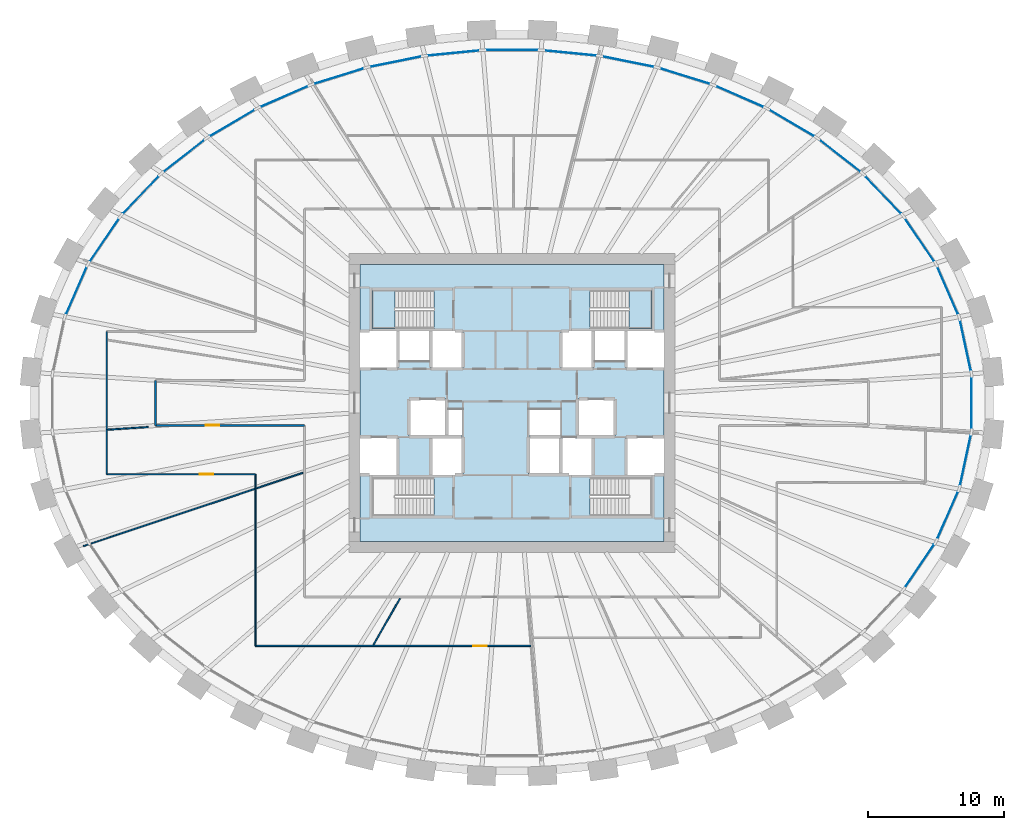
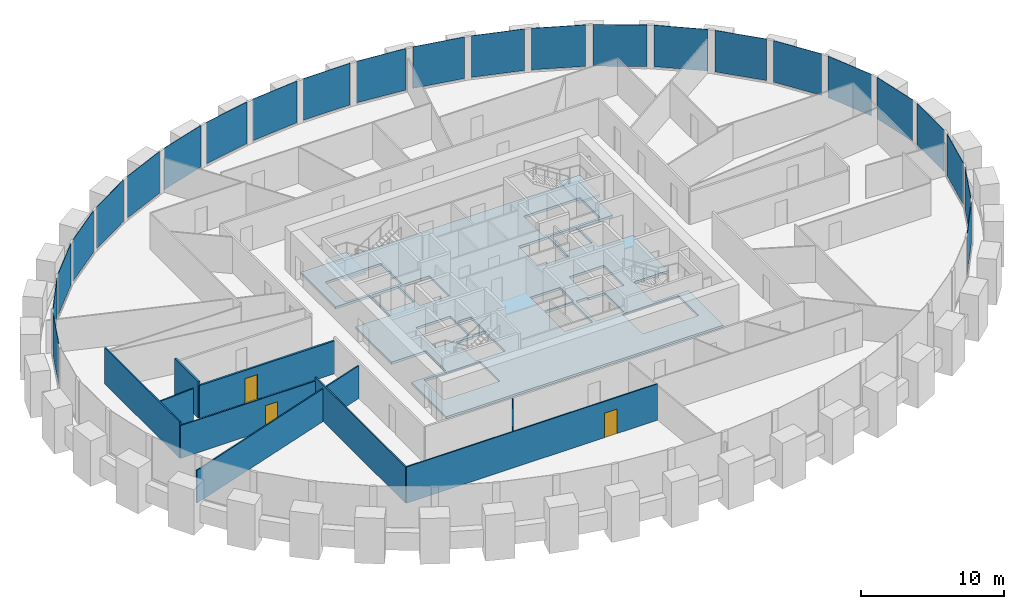
# One storey, part 5 of 11: 24 plates, 9 walls, 3 doors, 3 slabs, 3 openings, 3 elements without a shape of their own.
"""IFC4 building model written with IfcOpenShell, lengths in metres."""

from ifc_helpers import new_model, si_unit, direction, frame, frame_2d, origin, origin_2d, place, context, subcontext, project, spatial, polyline, rectangle, outline, extrude, source, transform, mapped, material, layer, layer_set, type_object, element, fill, aggregate, save


model = new_model("IFC4")

# Units and contexts
model_context = context("Model", 3, precision=1e-05, world=origin(), true_north=direction((0.0, 1.0)))
body_context = subcontext(model_context, "Body", "Model", "MODEL_VIEW")
ifc_project = project(units=[si_unit("LENGTHUNIT", "METRE"), si_unit("AREAUNIT", "SQUARE_METRE"), si_unit("VOLUMEUNIT", "CUBIC_METRE"), si_unit("PLANEANGLEUNIT", "RADIAN"), si_unit("MASSUNIT", "GRAM", prefix="KILO")], contexts=[model_context])

# Site, building, storey
site_placement = place(None, origin())
site = spatial("IfcSite", under=ifc_project, at=site_placement, CompositionType="ELEMENT")
building_placement = place(site_placement, origin())
building = spatial("IfcBuilding", under=site, at=building_placement, Name="Embergate Tower", CompositionType="ELEMENT")
storey_placement = place(building_placement, frame((0.0, 0.0, 219.0)))
storey = spatial("IfcBuildingStorey", under=building, at=storey_placement, Name="L50", CompositionType="ELEMENT", Elevation=219.0)

# Curtain wall, plates
ifc_material_1 = material(Name="Aluminium and glass", Category="aluminium")
curtain_wall_type = type_object("IfcCurtainWallType", Name="Recessed office glazing", PredefinedType="NOTDEFINED", material=ifc_material_1)
curtain_wall_placement = place(storey_placement, origin())
curtain_wall = element("IfcCurtainWall", 1, at=curtain_wall_placement, inside=storey, type_object=curtain_wall_type, Name="Recessed office glazing ring", ObjectType="RECESSED OFFICE GLAZING", PredefinedType="USERDEFINED")
ifc_material_2 = material(Name="Triple glazing, low-emissivity coating", Category="glass")
ifc_layer_1 = layer(ifc_material_2, 0.035888671875)
ifc_layer_set_1 = layer_set([ifc_layer_1], Name="Triple glazing, low-emissivity coating")
plate_type = type_object("IfcPlateType", Name="Office glazing unit", PredefinedType="CURTAIN_PANEL", material=ifc_layer_set_1)
shared_shape_1 = source(origin(), body_context, "Body", "SweptSolid", [
    extrude(rectangle(XDim=3.74951171875, YDim=0.035888671875, at=origin_2d()), origin(), (0.0, 0.0, 1.0), 3.550048828125),
])
plate_1_placement = place(storey_placement, frame((33.402587890625, 4.220458984375, 0.14990234375), z_axis=(0.0, 0.0, 1.0), x_axis=(-0.210396684915, 0.977616097953, 0.0)))
plate_1 = element("IfcPlate", 2, at=plate_1_placement, type_object=plate_type, Name="CW panel 1.1", PredefinedType="CURTAIN_PANEL", context=body_context, shape_type="MappedRepresentation", body=[
    mapped(shared_shape_1, transform((0.0, 0.0, 0.0))),
])
plate_2_placement = place(storey_placement, frame((33.402587890625, -4.220458984375, 0.14990234375), z_axis=(0.0, 0.0, 1.0), x_axis=(0.210396684915, 0.977616097953, 0.0)))
plate_2 = element("IfcPlate", 3, at=plate_2_placement, type_object=plate_type, Name="CW panel 43.1", PredefinedType="CURTAIN_PANEL", context=body_context, shape_type="MappedRepresentation", body=[
    mapped(shared_shape_1, transform((0.0, 0.0, 0.0))),
])
shared_shape_2 = source(origin(), body_context, "Body", "SweptSolid", [
    extrude(rectangle(XDim=3.75634765625, YDim=0.035888671875, at=origin_2d()), origin(), (0.0, 0.0, 1.0), 3.550048828125),
])
plate_3_placement = place(storey_placement, frame((32.094482421875, 8.265625, 0.14990234375), z_axis=(0.0, 0.0, 1.0), x_axis=(-0.401648904437, 0.915793730905, 0.0)))
plate_3 = element("IfcPlate", 4, at=plate_3_placement, type_object=plate_type, Name="CW panel 2.1", PredefinedType="CURTAIN_PANEL", context=body_context, shape_type="MappedRepresentation", body=[
    mapped(shared_shape_2, transform((0.0, 0.0, 0.0))),
])
plate_4_placement = place(storey_placement, frame((-32.094482421875, 8.265625, 0.14990234375), z_axis=(0.0, 0.0, 1.0), x_axis=(-0.401648904437, -0.915793730905, 0.0)))
plate_4 = element("IfcPlate", 5, at=plate_4_placement, type_object=plate_type, Name="CW panel 20.1", PredefinedType="CURTAIN_PANEL", context=body_context, shape_type="MappedRepresentation", body=[
    mapped(shared_shape_2, transform((0.0, 0.0, 0.0))),
])
plate_5_placement = place(storey_placement, frame((32.094482421875, -8.265625, 0.14990234375), z_axis=(0.0, 0.0, 1.0), x_axis=(0.401648904437, 0.915793730905, 0.0)))
plate_5 = element("IfcPlate", 6, at=plate_5_placement, type_object=plate_type, Name="CW panel 42.1", PredefinedType="CURTAIN_PANEL", context=body_context, shape_type="MappedRepresentation", body=[
    mapped(shared_shape_2, transform((0.0, 0.0, 0.0))),
])
shared_shape_3 = source(origin(), body_context, "Body", "SweptSolid", [
    extrude(rectangle(XDim=3.76513671875, YDim=0.035888671875, at=origin_2d()), origin(), (0.0, 0.0, 1.0), 3.550048828125),
])
plate_6_placement = place(storey_placement, frame((30.031005859375, 11.995361328125, 0.14990234375), z_axis=(0.0, 0.0, 1.0), x_axis=(-0.562338855469, 0.826906894172, 0.0)))
plate_6 = element("IfcPlate", 7, at=plate_6_placement, type_object=plate_type, Name="CW panel 3.1", PredefinedType="CURTAIN_PANEL", context=body_context, shape_type="MappedRepresentation", body=[
    mapped(shared_shape_3, transform((0.0, 0.0, 0.0))),
])
plate_7_placement = place(storey_placement, frame((-30.031005859375, 11.995361328125, 0.14990234375), z_axis=(0.0, 0.0, 1.0), x_axis=(-0.562338855469, -0.826906894172, 0.0)))
plate_7 = element("IfcPlate", 8, at=plate_7_placement, type_object=plate_type, Name="CW panel 19.1", PredefinedType="CURTAIN_PANEL", context=body_context, shape_type="MappedRepresentation", body=[
    mapped(shared_shape_3, transform((0.0, 0.0, 0.0))),
])
plate_8_placement = place(storey_placement, frame((30.031005859375, -11.995361328125, 0.14990234375), z_axis=(0.0, 0.0, 1.0), x_axis=(0.562338855469, 0.826906894172, 0.0)))
plate_8 = element("IfcPlate", 9, at=plate_8_placement, type_object=plate_type, Name="CW panel 41.1", PredefinedType="CURTAIN_PANEL", context=body_context, shape_type="MappedRepresentation", body=[
    mapped(shared_shape_3, transform((0.0, 0.0, 0.0))),
])
shared_shape_4 = source(origin(), body_context, "Body", "SweptSolid", [
    extrude(rectangle(XDim=3.773681640625, YDim=0.035888671875, at=origin_2d()), origin(), (0.0, 0.0, 1.0), 3.550048828125),
])
plate_9_placement = place(storey_placement, frame((27.344482421875, 15.32080078125, 0.14990234375), z_axis=(0.0, 0.0, 1.0), x_axis=(-0.690129995266, 0.723685421737, 0.0)))
plate_9 = element("IfcPlate", 10, at=plate_9_placement, type_object=plate_type, Name="CW panel 4.1", PredefinedType="CURTAIN_PANEL", context=body_context, shape_type="MappedRepresentation", body=[
    mapped(shared_shape_4, transform((0.0, 0.0, 0.0))),
])
plate_10_placement = place(storey_placement, frame((-27.344482421875, 15.32080078125, 0.14990234375), z_axis=(0.0, 0.0, 1.0), x_axis=(-0.690129995266, -0.723685421737, 0.0)))
plate_10 = element("IfcPlate", 11, at=plate_10_placement, type_object=plate_type, Name="CW panel 18.1", PredefinedType="CURTAIN_PANEL", context=body_context, shape_type="MappedRepresentation", body=[
    mapped(shared_shape_4, transform((0.0, 0.0, 0.0))),
])
shared_shape_5 = source(origin(), body_context, "Body", "SweptSolid", [
    extrude(rectangle(XDim=3.781005859375, YDim=0.035888671875, at=origin_2d()), origin(), (0.0, 0.0, 1.0), 3.550048828125),
])
plate_11_placement = place(storey_placement, frame((24.16748046875, 18.197509765625, 0.14990234375), z_axis=(0.0, 0.0, 1.0), x_axis=(-0.788316897722, 0.615269427784, 0.0)))
plate_11 = element("IfcPlate", 12, at=plate_11_placement, type_object=plate_type, Name="CW panel 5.1", PredefinedType="CURTAIN_PANEL", context=body_context, shape_type="MappedRepresentation", body=[
    mapped(shared_shape_5, transform((0.0, 0.0, 0.0))),
])
plate_12_placement = place(storey_placement, frame((-24.16748046875, 18.197509765625, 0.14990234375), z_axis=(0.0, 0.0, 1.0), x_axis=(-0.788316897722, -0.615269427784, 0.0)))
plate_12 = element("IfcPlate", 13, at=plate_12_placement, type_object=plate_type, Name="CW panel 17.1", PredefinedType="CURTAIN_PANEL", context=body_context, shape_type="MappedRepresentation", body=[
    mapped(shared_shape_5, transform((0.0, 0.0, 0.0))),
])
shared_shape_6 = source(origin(), body_context, "Body", "SweptSolid", [
    extrude(rectangle(XDim=3.787109375, YDim=0.035888671875, at=origin_2d()), origin(), (0.0, 0.0, 1.0), 3.550048828125),
])
plate_13_placement = place(storey_placement, frame((20.61572265625, 20.6123046875, 0.14990234375), z_axis=(0.0, 0.0, 1.0), x_axis=(-0.862050514108, 0.506822366443, 0.0)))
plate_13 = element("IfcPlate", 14, at=plate_13_placement, type_object=plate_type, Name="CW panel 6.1", PredefinedType="CURTAIN_PANEL", context=body_context, shape_type="MappedRepresentation", body=[
    mapped(shared_shape_6, transform((0.0, 0.0, 0.0))),
])
plate_14_placement = place(storey_placement, frame((-20.61572265625, 20.6123046875, 0.14990234375), z_axis=(0.0, 0.0, 1.0), x_axis=(-0.862050514108, -0.506822366443, 0.0)))
plate_14 = element("IfcPlate", 15, at=plate_14_placement, type_object=plate_type, Name="CW panel 16.1", PredefinedType="CURTAIN_PANEL", context=body_context, shape_type="MappedRepresentation", body=[
    mapped(shared_shape_6, transform((0.0, 0.0, 0.0))),
])
shared_shape_7 = source(origin(), body_context, "Body", "SweptSolid", [
    extrude(rectangle(XDim=3.79150390625, YDim=0.035888671875, at=origin_2d()), origin(), (0.0, 0.0, 1.0), 3.550048828125),
])
plate_15_placement = place(storey_placement, frame((16.7841796875, 22.5673828125, 0.14990234375), z_axis=(0.0, 0.0, 1.0), x_axis=(-0.91623411399, 0.400643293168, 0.0)))
plate_15 = element("IfcPlate", 16, at=plate_15_placement, type_object=plate_type, Name="CW panel 7.1", PredefinedType="CURTAIN_PANEL", context=body_context, shape_type="MappedRepresentation", body=[
    mapped(shared_shape_7, transform((0.0, 0.0, 0.0))),
])
plate_16_placement = place(storey_placement, frame((-16.7841796875, 22.5673828125, 0.14990234375), z_axis=(0.0, 0.0, 1.0), x_axis=(-0.91623411399, -0.400643293168, 0.0)))
plate_16 = element("IfcPlate", 17, at=plate_16_placement, type_object=plate_type, Name="CW panel 15.1", PredefinedType="CURTAIN_PANEL", context=body_context, shape_type="MappedRepresentation", body=[
    mapped(shared_shape_7, transform((0.0, 0.0, 0.0))),
])
shared_shape_8 = source(origin(), body_context, "Body", "SweptSolid", [
    extrude(rectangle(XDim=3.794921875, YDim=0.035888671875, at=origin_2d()), origin(), (0.0, 0.0, 1.0), 3.550048828125),
])
plate_17_placement = place(storey_placement, frame((12.749267578125, 24.072509765625, 0.14990234375), z_axis=(0.0, 0.0, 1.0), x_axis=(-0.954770660302, 0.297343212847, 0.0)))
plate_17 = element("IfcPlate", 18, at=plate_17_placement, type_object=plate_type, Name="CW panel 8.1", PredefinedType="CURTAIN_PANEL", context=body_context, shape_type="MappedRepresentation", body=[
    mapped(shared_shape_8, transform((0.0, 0.0, 0.0))),
])
plate_18_placement = place(storey_placement, frame((-12.749267578125, 24.072509765625, 0.14990234375), z_axis=(0.0, 0.0, 1.0), x_axis=(-0.954770660302, -0.297343212847, 0.0)))
plate_18 = element("IfcPlate", 19, at=plate_18_placement, type_object=plate_type, Name="CW panel 14.1", PredefinedType="CURTAIN_PANEL", context=body_context, shape_type="MappedRepresentation", body=[
    mapped(shared_shape_8, transform((0.0, 0.0, 0.0))),
])
shared_shape_9 = source(origin(), body_context, "Body", "SweptSolid", [
    extrude(rectangle(XDim=3.796875, YDim=0.035888671875, at=origin_2d()), origin(), (0.0, 0.0, 1.0), 3.550048828125),
])
plate_19_placement = place(storey_placement, frame((8.572998046875, 25.138427734375, 0.14990234375), z_axis=(0.0, 0.0, 1.0), x_axis=(-0.980475221003, 0.196642673395, 0.0)))
plate_19 = element("IfcPlate", 20, at=plate_19_placement, type_object=plate_type, Name="CW panel 9.1", PredefinedType="CURTAIN_PANEL", context=body_context, shape_type="MappedRepresentation", body=[
    mapped(shared_shape_9, transform((0.0, 0.0, 0.0))),
])
plate_20_placement = place(storey_placement, frame((-8.572998046875, 25.138427734375, 0.14990234375), z_axis=(0.0, 0.0, 1.0), x_axis=(-0.980475221003, -0.196642673395, 0.0)))
plate_20 = element("IfcPlate", 21, at=plate_20_placement, type_object=plate_type, Name="CW panel 13.1", PredefinedType="CURTAIN_PANEL", context=body_context, shape_type="MappedRepresentation", body=[
    mapped(shared_shape_9, transform((0.0, 0.0, 0.0))),
])
shared_shape_10 = source(origin(), body_context, "Body", "SweptSolid", [
    extrude(rectangle(XDim=3.798095703125, YDim=0.035888671875, at=origin_2d()), origin(), (0.0, 0.0, 1.0), 3.550048828125),
])
plate_21_placement = place(storey_placement, frame((4.30810546875, 25.774169921875, 0.14990234375), z_axis=(0.0, 0.0, 1.0), x_axis=(-0.995203014042, 0.097831287645, 0.0)))
plate_21 = element("IfcPlate", 22, at=plate_21_placement, type_object=plate_type, Name="CW panel 10.1", PredefinedType="CURTAIN_PANEL", context=body_context, shape_type="MappedRepresentation", body=[
    mapped(shared_shape_10, transform((0.0, 0.0, 0.0))),
])
plate_22_placement = place(storey_placement, frame((-4.30810546875, 25.774169921875, 0.14990234375), z_axis=(0.0, 0.0, 1.0), x_axis=(-0.995203014042, -0.097831287645, 0.0)))
plate_22 = element("IfcPlate", 23, at=plate_22_placement, type_object=plate_type, Name="CW panel 12.1", PredefinedType="CURTAIN_PANEL", context=body_context, shape_type="MappedRepresentation", body=[
    mapped(shared_shape_10, transform((0.0, 0.0, 0.0))),
])
shared_shape_11 = source(origin(), body_context, "Body", "SweptSolid", [
    extrude(rectangle(XDim=3.798583984375, YDim=0.035888671875, at=origin_2d()), origin(), (0.0, 0.0, 1.0), 3.550048828125),
])
plate_23_placement = place(storey_placement, frame((0.0, 25.9853515625, 0.14990234375), z_axis=(0.0, 0.0, 1.0), x_axis=(-1.0, 0.0, 0.0)))
plate_23 = element("IfcPlate", 24, at=plate_23_placement, type_object=plate_type, Name="CW panel 11.1", PredefinedType="CURTAIN_PANEL", context=body_context, shape_type="MappedRepresentation", body=[
    mapped(shared_shape_11, transform((0.0, 0.0, 0.0))),
])
shared_shape_12 = source(origin(), body_context, "Body", "SweptSolid", [
    extrude(rectangle(XDim=3.746826171875, YDim=0.035888671875, at=origin_2d()), origin(), (0.0, 0.0, 1.0), 3.550048828125),
])
plate_24_placement = place(storey_placement, frame((33.851806640625, 0.0, 0.14990234375), z_axis=(0.0, 0.0, 1.0), x_axis=(0.0, 1.0, 0.0)))
plate_24 = element("IfcPlate", 25, at=plate_24_placement, type_object=plate_type, Name="CW panel 44.1", PredefinedType="CURTAIN_PANEL", context=body_context, shape_type="MappedRepresentation", body=[
    mapped(shared_shape_12, transform((0.0, 0.0, 0.0))),
])
aggregate(curtain_wall, [plate_1, plate_3, plate_6, plate_9, plate_11, plate_13, plate_15, plate_17, plate_19, plate_21, plate_23, plate_22, plate_20, plate_18, plate_16, plate_14, plate_12, plate_10, plate_7, plate_4, plate_8, plate_5, plate_2, plate_24])

# Stair, slab
ifc_material_3 = material(Name="Exit stair")
stair_type = type_object("IfcStairType", Name="Exit stair", PredefinedType="HALF_TURN_STAIR", material=ifc_material_3)
stair_1_placement = place(storey_placement, origin())
stair_1 = element("IfcStair", 26, at=stair_1_placement, inside=storey, type_object=stair_type, Name="L50 Exit stair 1", PredefinedType="HALF_TURN_STAIR")
ifc_material_4 = material(Name="Concrete C40", Category="concrete")
ifc_layer_2 = layer(ifc_material_4, 0.199951171875)
ifc_layer_set_2 = layer_set([ifc_layer_2], Name="Concrete C40")
slab_type_1 = type_object("IfcSlabType", Name="Stair landing reinforced concrete", PredefinedType="LANDING", material=ifc_layer_set_2)
shared_shape_13 = source(origin(), body_context, "Body", "SweptSolid", [
    extrude(outline(polyline([(0.0, 0.0), (1.68994140625, 0.0), (1.68994140625, 2.800048828125), (0.0, 2.800048828125), (0.0, 0.0)])), origin(), (0.0, 0.0, 1.0), 0.199951171875),
])
slab_1_placement = place(storey_placement, frame((-10.300048828125, 5.5, 1.75)))
slab_1 = element("IfcSlab", 27, at=slab_1_placement, type_object=slab_type_1, Name="ST1 landing 1", PredefinedType="LANDING", context=body_context, shape_type="MappedRepresentation", body=[
    mapped(shared_shape_13, transform((0.0, 0.0, 0.0))),
])
aggregate(stair_1, [slab_1])

stair_2_placement = place(storey_placement, origin())
stair_2 = element("IfcStair", 28, at=stair_2_placement, inside=storey, type_object=stair_type, Name="L50 Exit stair 2", PredefinedType="HALF_TURN_STAIR")
slab_2_placement = place(storey_placement, frame((8.610107421875, 5.5, 1.75)))
slab_2 = element("IfcSlab", 29, at=slab_2_placement, type_object=slab_type_1, Name="ST2 landing 1", PredefinedType="LANDING", context=body_context, shape_type="MappedRepresentation", body=[
    mapped(shared_shape_13, transform((0.0, 0.0, 0.0))),
])
aggregate(stair_2, [slab_2])

# Slab
ifc_layer_3 = layer(ifc_material_4, 0.199951171875)
ifc_layer_set_3 = layer_set([ifc_layer_3], Name="Concrete C40")
slab_type_2 = type_object("IfcSlabType", Name="Core floor slab 200 reinforced concrete", PredefinedType="FLOOR", material=ifc_layer_set_3)
shared_shape_14 = source(origin(), body_context, "Body", "SweptSolid", [
    extrude(outline(polyline([(0.0, 0.0), (22.39990234375, 0.0), (22.39990234375, 4.89990234375), (19.599853515625, 4.89990234375), (19.599853515625, 7.699951171875), (22.39990234375, 7.699951171875), (22.39990234375, 12.699951171875), (19.599853515625, 12.699951171875), (19.599853515625, 15.5), (22.39990234375, 15.5), (22.39990234375, 20.39990234375), (0.0, 20.39990234375), (0.0, 15.5), (2.800048828125, 15.5), (2.800048828125, 12.699951171875), (0.0, 12.699951171875), (0.0, 7.699951171875), (2.800048828125, 7.699951171875), (2.800048828125, 4.89990234375), (0.0, 4.89990234375), (0.0, 0.0)]), holes=[polyline([(0.89990234375, 1.89990234375), (0.89990234375, 4.699951171875), (5.43994140625, 4.699951171875), (5.43994140625, 1.89990234375), (0.89990234375, 1.89990234375)]), polyline([(16.9599609375, 1.89990234375), (16.9599609375, 4.699951171875), (21.5, 4.699951171875), (21.5, 1.89990234375), (16.9599609375, 1.89990234375)]), polyline([(5.199951171875, 4.89990234375), (5.199951171875, 7.574951171875), (6.52490234375, 7.574951171875), (6.52490234375, 7.699951171875), (7.599853515625, 7.699951171875), (7.599853515625, 4.89990234375), (5.199951171875, 4.89990234375)]), polyline([(12.39990234375, 4.89990234375), (12.39990234375, 7.699951171875), (14.675048828125, 7.699951171875), (14.675048828125, 4.89990234375), (12.39990234375, 4.89990234375)]), polyline([(14.925048828125, 4.89990234375), (14.925048828125, 7.699951171875), (15.875, 7.699951171875), (15.875, 7.574951171875), (17.199951171875, 7.574951171875), (17.199951171875, 4.89990234375), (14.925048828125, 4.89990234375)]), polyline([(3.599853515625, 7.699951171875), (3.599853515625, 10.5), (6.39990234375, 10.5), (6.39990234375, 7.824951171875), (5.074951171875, 7.824951171875), (5.074951171875, 7.699951171875), (3.599853515625, 7.699951171875)]), polyline([(17.324951171875, 7.699951171875), (17.324951171875, 7.824951171875), (16.0, 7.824951171875), (16.0, 10.5), (18.800048828125, 10.5), (18.800048828125, 7.699951171875), (17.324951171875, 7.699951171875)]), polyline([(6.52490234375, 7.824951171875), (6.52490234375, 9.699951171875), (7.599853515625, 9.699951171875), (7.599853515625, 7.824951171875), (6.52490234375, 7.824951171875)]), polyline([(12.39990234375, 7.824951171875), (12.39990234375, 9.699951171875), (14.800048828125, 9.699951171875), (14.800048828125, 7.824951171875), (14.675048828125, 7.824951171875), (12.39990234375, 7.824951171875)]), polyline([(5.199951171875, 12.699951171875), (5.199951171875, 15.5), (7.599853515625, 15.5), (7.599853515625, 12.699951171875), (5.199951171875, 12.699951171875)]), polyline([(14.800048828125, 12.699951171875), (14.800048828125, 15.5), (17.199951171875, 15.5), (17.199951171875, 12.699951171875), (14.800048828125, 12.699951171875)]), polyline([(2.925048828125, 13.300048828125), (2.925048828125, 15.5), (5.074951171875, 15.5), (5.074951171875, 13.300048828125), (2.925048828125, 13.300048828125)]), polyline([(17.324951171875, 13.300048828125), (17.324951171875, 15.5), (19.474853515625, 15.5), (19.474853515625, 13.300048828125), (17.324951171875, 13.300048828125)]), polyline([(0.89990234375, 15.699951171875), (0.89990234375, 18.5), (5.43994140625, 18.5), (5.43994140625, 15.699951171875), (0.89990234375, 15.699951171875)]), polyline([(16.9599609375, 15.699951171875), (16.9599609375, 18.5), (21.5, 18.5), (21.5, 15.699951171875), (16.9599609375, 15.699951171875)])]), origin(), (0.0, 0.0, 1.0), 0.199951171875),
])
slab_3_placement = place(storey_placement, frame((-11.199951171875, -10.199951171875, -0.199951171875)))
element("IfcSlab", 30, at=slab_3_placement, inside=storey, type_object=slab_type_2, Name="Core floor slab", PredefinedType="FLOOR", context=body_context, shape_type="MappedRepresentation", body=[
    mapped(shared_shape_14, transform((0.0, 0.0, 0.0))),
])

# Wall, opening, door
ifc_material_5 = material(Name="Corridor wall dry-lined 150")
ifc_layer_4 = layer(ifc_material_5, 0.14990234375)
ifc_layer_set_4 = layer_set([ifc_layer_4], Name="Corridor wall dry-lined 150")
wall_type_1 = type_object("IfcWallType", Name="Corridor wall dry-lined 150", PredefinedType="PARTITIONING", material=ifc_layer_set_4)
shared_shape_15 = source(origin(), body_context, "Body", "SweptSolid", [
    extrude(rectangle(XDim=10.949951171875, YDim=0.14990234375, at=frame_2d((5.47509765625, 0.0))), origin(), (0.0, 0.0, 1.0), 2.800048828125),
])
wall_1_placement = place(storey_placement, frame((-26.25, -1.64990234375, 0.0), z_axis=(0.0, 0.0, 1.0), x_axis=(1.0, 0.0, 0.0)))
wall_1 = element("IfcWall", 31, at=wall_1_placement, inside=storey, type_object=wall_type_1, Name="IP-2 wall", PredefinedType="PARTITIONING", context=body_context, shape_type="MappedRepresentation", body=[
    mapped(shared_shape_15, transform((0.0, 0.0, 0.0))),
])
shared_shape_16 = source(origin(), body_context, "Body", "SweptSolid", [
    extrude(rectangle(XDim=1.0, YDim=2.10009765625, at=frame_2d((0.5, 1.050048828125))), frame((0.0, 0.0849609375, 0.0), z_axis=(0.0, -1.0, 0.0), x_axis=(1.0, 0.0, 0.0)), (0.0, 0.0, 1.0), 0.169921875),
])
opening_1_placement = place(wall_1_placement, frame((3.68310546875, 0.0, 0.0)))
opening_1 = element("IfcOpeningElement", 32, at=opening_1_placement, cuts=wall_1, Name="Opening ID-2", PredefinedType="OPENING", context=body_context, shape_type="MappedRepresentation", body=[
    mapped(shared_shape_16, transform((0.0, 0.0, 0.0))),
])
ifc_material_6 = material(Name="Interior door 1000")
door_type = type_object("IfcDoorType", Name="Interior door 1000", OperationType="SINGLE_SWING_LEFT", PredefinedType="DOOR", material=ifc_material_6)
shared_shape_17 = source(origin(), body_context, "Body", "SweptSolid", [
    extrude(rectangle(XDim=1.0, YDim=2.10009765625, at=frame_2d((0.5, 1.050048828125))), frame((0.0, 0.02490234375, 0.0), z_axis=(0.0, -1.0, 0.0), x_axis=(1.0, 0.0, 0.0)), (0.0, 0.0, 1.0), 0.050048828125),
])
door_1_placement = place(opening_1_placement, origin())
door_1 = element("IfcDoor", 33, at=door_1_placement, inside=storey, type_object=door_type, Name="ID-2 door", OperationType="SINGLE_SWING_LEFT", OverallHeight=2.10009765625, OverallWidth=1.0, PredefinedType="DOOR", context=body_context, shape_type="MappedRepresentation", body=[
    mapped(shared_shape_17, transform((0.0, 0.0, 0.0))),
])
fill(opening_1, door_1)

ifc_material_7 = material(Name="Partition dry-lined 100")
ifc_layer_5 = layer(ifc_material_7, 0.10009765625)
ifc_layer_set_5 = layer_set([ifc_layer_5], Name="Partition dry-lined 100")
wall_type_2 = type_object("IfcWallType", Name="Partition dry-lined 100", PredefinedType="PARTITIONING", material=ifc_layer_set_5)
shared_shape_18 = source(origin(), body_context, "Body", "SweptSolid", [
    extrude(rectangle(XDim=10.9501953125, YDim=0.10009765625, at=frame_2d((5.47509765625, 0.0))), origin(), (0.0, 0.0, 1.0), 2.800048828125),
])
wall_2_placement = place(storey_placement, frame((-18.89990234375, -5.25, 0.0), z_axis=(0.0, 0.0, 1.0), x_axis=(-1.0, 0.0, 0.0)))
wall_2 = element("IfcWall", 34, at=wall_2_placement, inside=storey, type_object=wall_type_2, Name="IP-1 wall", PredefinedType="PARTITIONING", context=body_context, shape_type="MappedRepresentation", body=[
    mapped(shared_shape_18, transform((0.0, 0.0, 0.0))),
])
shared_shape_19 = source(origin(), body_context, "Body", "SweptSolid", [
    extrude(rectangle(XDim=1.0, YDim=2.10009765625, at=frame_2d((0.5, 1.050048828125))), frame((0.0, 0.06005859375, 0.0), z_axis=(0.0, -1.0, 0.0), x_axis=(1.0, 0.0, 0.0)), (0.0, 0.0, 1.0), 0.1201171875),
])
opening_2_placement = place(wall_2_placement, frame((3.10498046875, 0.0, 0.0)))
opening_2 = element("IfcOpeningElement", 35, at=opening_2_placement, cuts=wall_2, Name="Opening ID-2", PredefinedType="OPENING", context=body_context, shape_type="MappedRepresentation", body=[
    mapped(shared_shape_19, transform((0.0, 0.0, 0.0))),
])
door_2_placement = place(opening_2_placement, origin())
door_2 = element("IfcDoor", 36, at=door_2_placement, inside=storey, type_object=door_type, Name="ID-2 door", OperationType="SINGLE_SWING_LEFT", OverallHeight=2.10009765625, OverallWidth=1.0, PredefinedType="DOOR", context=body_context, shape_type="MappedRepresentation", body=[
    mapped(shared_shape_17, transform((0.0, 0.0, 0.0))),
])
fill(opening_2, door_2)

# Walls
shared_shape_20 = source(origin(), body_context, "Body", "SweptSolid", [
    extrude(rectangle(XDim=3.2998046875, YDim=0.14990234375, at=frame_2d((1.64990234375, 0.0))), origin(), (0.0, 0.0, 1.0), 3.10009765625),
])
wall_3_placement = place(storey_placement, frame((-26.25, 1.64990234375, 0.0), z_axis=(0.0, 0.0, 1.0), x_axis=(0.0, -1.0, 0.0)))
element("IfcWall", 37, at=wall_3_placement, inside=storey, type_object=wall_type_1, Name="IP-2 wall", PredefinedType="PARTITIONING", context=body_context, shape_type="MappedRepresentation", body=[
    mapped(shared_shape_20, transform((0.0, 0.0, 0.0))),
])
shared_shape_21 = source(origin(), body_context, "Body", "SweptSolid", [
    extrude(rectangle(XDim=3.947265625, YDim=0.10009765625, at=frame_2d((1.9736328125, 0.0))), origin(), (0.0, 0.0, 1.0), 3.10009765625),
])
wall_4_placement = place(storey_placement, frame((-8.2490234375, -14.39990234375, 0.0), z_axis=(0.0, 0.0, 1.0), x_axis=(-0.497044565663, -0.867725013898, 0.0)))
element("IfcWall", 38, at=wall_4_placement, inside=storey, type_object=wall_type_2, Name="IP-1 wall", PredefinedType="PARTITIONING", context=body_context, shape_type="MappedRepresentation", body=[
    mapped(shared_shape_21, transform((0.0, 0.0, 0.0))),
])
shared_shape_22 = source(origin(), body_context, "Body", "SweptSolid", [
    extrude(rectangle(XDim=17.070556640625, YDim=0.10009765625, at=frame_2d((8.53515625, 0.0))), origin(), (0.0, 0.0, 1.0), 2.800048828125),
])
wall_5_placement = place(storey_placement, frame((-31.58203125, -10.550048828125, 0.0), z_axis=(0.0, 0.0, 1.0), x_axis=(0.948472850585, 0.316858409552, 0.0)))
element("IfcWall", 39, at=wall_5_placement, inside=storey, type_object=wall_type_2, Name="IP-1 wall", PredefinedType="PARTITIONING", context=body_context, shape_type="MappedRepresentation", body=[
    mapped(shared_shape_22, transform((0.0, 0.0, 0.0))),
])
shared_shape_23 = source(origin(), body_context, "Body", "SweptSolid", [
    extrude(rectangle(XDim=12.64990234375, YDim=0.10009765625, at=frame_2d((6.324951171875, 0.0))), origin(), (0.0, 0.0, 1.0), 3.10009765625),
])
wall_6_placement = place(storey_placement, frame((-18.89990234375, -5.25, 0.0), z_axis=(0.0, 0.0, 1.0), x_axis=(0.0, -1.0, 0.0)))
element("IfcWall", 40, at=wall_6_placement, inside=storey, type_object=wall_type_2, Name="IP-1 wall", PredefinedType="PARTITIONING", context=body_context, shape_type="MappedRepresentation", body=[
    mapped(shared_shape_23, transform((0.0, 0.0, 0.0))),
])

# Wall, opening, door
shared_shape_24 = source(origin(), body_context, "Body", "SweptSolid", [
    extrude(rectangle(XDim=20.31298828125, YDim=0.10009765625, at=frame_2d((10.156494140625, 0.0))), origin(), (0.0, 0.0, 1.0), 3.10009765625),
])
wall_7_placement = place(storey_placement, frame((-18.89990234375, -17.89990234375, 0.0), z_axis=(0.0, 0.0, 1.0), x_axis=(1.0, 0.0, 0.0)))
wall_7 = element("IfcWall", 41, at=wall_7_placement, inside=storey, type_object=wall_type_2, Name="IP-1 wall", PredefinedType="PARTITIONING", context=body_context, shape_type="MappedRepresentation", body=[
    mapped(shared_shape_24, transform((0.0, 0.0, 0.0))),
])
opening_3_placement = place(wall_7_placement, frame((16.028076171875, 0.0, 0.0)))
opening_3 = element("IfcOpeningElement", 42, at=opening_3_placement, cuts=wall_7, Name="Opening ID-2", PredefinedType="OPENING", context=body_context, shape_type="MappedRepresentation", body=[
    mapped(shared_shape_19, transform((0.0, 0.0, 0.0))),
])
door_3_placement = place(opening_3_placement, origin())
door_3 = element("IfcDoor", 43, at=door_3_placement, inside=storey, type_object=door_type, Name="ID-2 door", OperationType="SINGLE_SWING_RIGHT", OverallHeight=2.10009765625, OverallWidth=1.0, PredefinedType="DOOR", context=body_context, shape_type="MappedRepresentation", body=[
    mapped(shared_shape_17, transform((0.0, 0.0, 0.0))),
])
fill(opening_3, door_3)

# Walls
shared_shape_25 = source(origin(), body_context, "Body", "SweptSolid", [
    extrude(rectangle(XDim=10.5, YDim=0.10009765625, at=frame_2d((5.25, 0.0))), origin(), (0.0, 0.0, 1.0), 3.10009765625),
])
wall_8_placement = place(storey_placement, frame((-29.85009765625, -5.25, 0.0), z_axis=(0.0, 0.0, 1.0), x_axis=(0.0, 1.0, 0.0)))
element("IfcWall", 44, at=wall_8_placement, inside=storey, type_object=wall_type_2, Name="IP-1 wall", PredefinedType="PARTITIONING", context=body_context, shape_type="MappedRepresentation", body=[
    mapped(shared_shape_25, transform((0.0, 0.0, 0.0))),
])
shared_shape_26 = source(origin(), body_context, "Body", "SweptSolid", [
    extrude(rectangle(XDim=3.0185546875, YDim=0.10009765625, at=frame_2d((1.50927734375, 0.0))), origin(), (0.0, 0.0, 1.0), 2.800048828125),
])
wall_9_placement = place(storey_placement, frame((-26.7880859375, -1.77490234375, 0.0), z_axis=(0.0, 0.0, 1.0), x_axis=(-0.997819736078, -0.065998290074, 0.0)))
element("IfcWall", 45, at=wall_9_placement, inside=storey, type_object=wall_type_2, Name="IP-1 wall", PredefinedType="PARTITIONING", context=body_context, shape_type="MappedRepresentation", body=[
    mapped(shared_shape_26, transform((0.0, 0.0, 0.0))),
])

save(model, "model.ifc")
